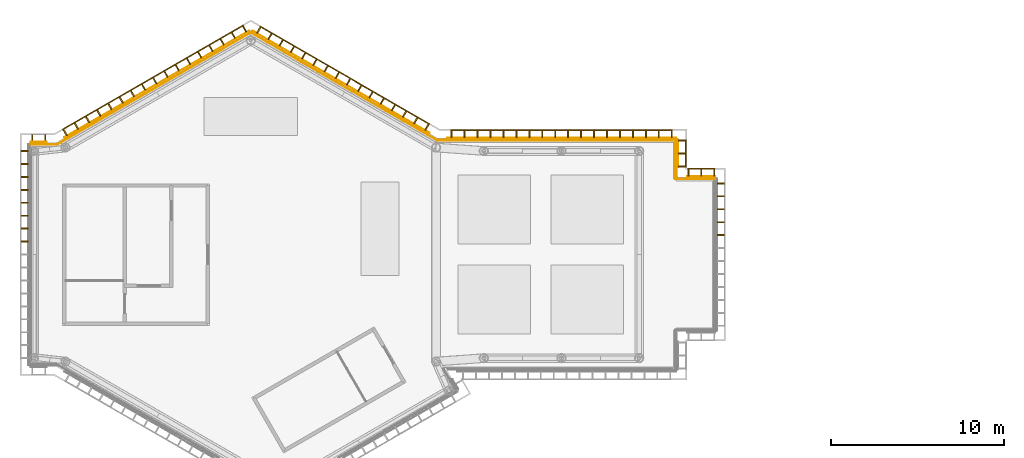
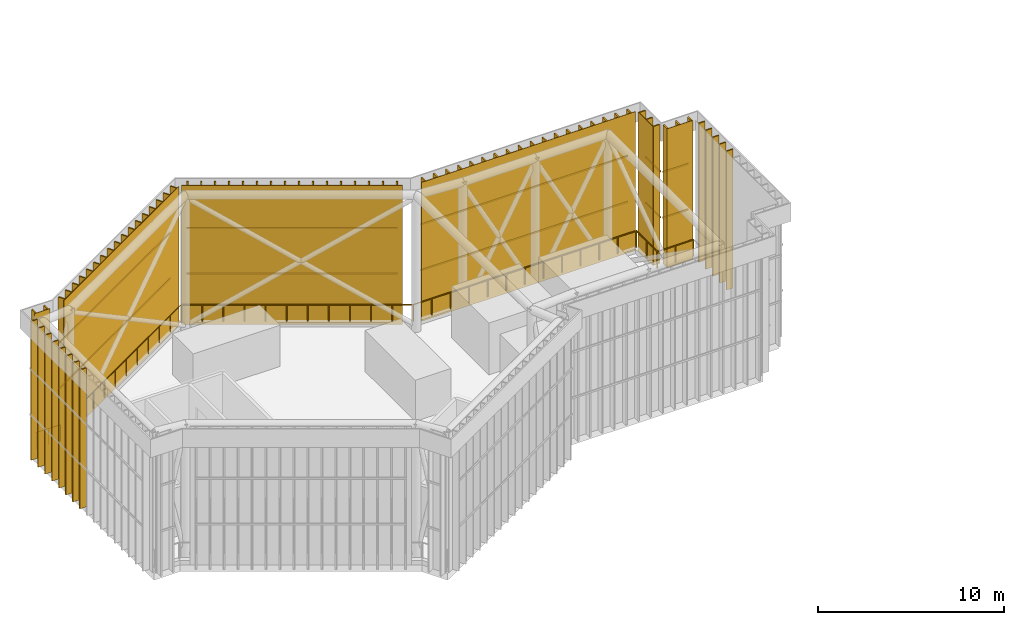
# One storey, part 12 of 17: 88 coverings, 6 railings.
"""IFC4 building model written with IfcOpenShell, lengths in metres."""

from ifc_helpers import new_model, si_unit, direction, frame, origin, origin_2d, place, context, subcontext, project, spatial, rectangle, circle, extrude, material, layer, layer_set, type_object, element, save


model = new_model("IFC4")

# Units and contexts
model_context = context("Model", 3, precision=1e-05, world=origin(), true_north=direction((0.0, 1.0)))
body_context = subcontext(model_context, "Body", "Model", "MODEL_VIEW")
ifc_project = project(units=[si_unit("LENGTHUNIT", "METRE"), si_unit("AREAUNIT", "SQUARE_METRE"), si_unit("VOLUMEUNIT", "CUBIC_METRE"), si_unit("PLANEANGLEUNIT", "RADIAN"), si_unit("MASSUNIT", "GRAM", prefix="KILO")], contexts=[model_context])

# Site, building, storey
site_placement = place(None, origin())
site = spatial("IfcSite", under=ifc_project, at=site_placement, CompositionType="ELEMENT")
building_placement = place(site_placement, origin())
building = spatial("IfcBuilding", under=site, at=building_placement, Name="Upepo Twin Towers", CompositionType="ELEMENT")
storey_placement = place(building_placement, frame((0.0, 0.0, 296.5)))
storey = spatial("IfcBuildingStorey", under=building, at=storey_placement, Name="RF", CompositionType="ELEMENT", Elevation=296.5)

# Coverings
ifc_material_1 = material(Name="Anodised aluminium, pale silver", Category="aluminium")
covering_type_1 = type_object("IfcCoveringType", Name="Crown screen fin 80x400 pale aluminium", PredefinedType="CLADDING", material=ifc_material_1)
for number, where, z_axis, x_axis, name in (
    (1, (27.22998046875, 1.125, 0.0), (0.0, 0.0, 1.0), (0.0, 1.0, 0.0), "T1 crown screen fin 5.8"),
    (2, (27.22998046875, 1.875, 0.0), (0.0, 0.0, 1.0), (0.0, 1.0, 0.0), "T1 crown screen fin 5.9"),
    (3, (27.22998046875, 2.625, 0.0), (0.0, 0.0, 1.0), (0.0, 1.0, 0.0), "T1 crown screen fin 5.10"),
    (4, (27.22998046875, 3.375, 0.0), (0.0, 0.0, 1.0), (0.0, 1.0, 0.0), "T1 crown screen fin 5.11"),
    (5, (27.22998046875, 4.125, 0.0), (0.0, 0.0, 1.0), (0.0, 1.0, 0.0), "T1 crown screen fin 5.12"),
    (6, (26.85009765625, 4.72998046875, 0.0), (0.0, 0.0, 1.0), (-1.0, 0.0, 0.0), "T1 crown screen fin 6.1"),
    (7, (26.10009765625, 4.72998046875, 0.0), (0.0, 0.0, 1.0), (-1.0, 0.0, 0.0), "T1 crown screen fin 6.2"),
    (8, (25.35009765625, 4.72998046875, 0.0), (0.0, 0.0, 1.0), (-1.0, 0.0, 0.0), "T1 crown screen fin 6.3"),
    (9, (24.97998046875, 5.10009765625, 0.0), (0.0, 0.0, 1.0), (0.0, 1.0, 0.0), "T1 crown screen fin 7.1"),
    (10, (24.97998046875, 5.85009765625, 0.0), (0.0, 0.0, 1.0), (0.0, 1.0, 0.0), "T1 crown screen fin 7.2"),
    (11, (24.97998046875, 6.60009765625, 0.0), (0.0, 0.0, 1.0), (0.0, 1.0, 0.0), "T1 crown screen fin 7.3"),
    (12, (24.3876953125, 6.97998046875, 0.0), (0.0, 0.0, 1.0), (-1.0, 0.0, 0.0), "T1 crown screen fin 8.1"),
    (13, (23.6376953125, 6.97998046875, 0.0), (0.0, 0.0, 1.0), (-1.0, 0.0, 0.0), "T1 crown screen fin 8.2"),
    (14, (22.8876953125, 6.97998046875, 0.0), (0.0, 0.0, 1.0), (-1.0, 0.0, 0.0), "T1 crown screen fin 8.3"),
    (15, (22.1376953125, 6.97998046875, 0.0), (0.0, 0.0, 1.0), (-1.0, 0.0, 0.0), "T1 crown screen fin 8.4"),
    (16, (21.3876953125, 6.97998046875, 0.0), (0.0, 0.0, 1.0), (-1.0, 0.0, 0.0), "T1 crown screen fin 8.5"),
    (17, (20.6376953125, 6.97998046875, 0.0), (0.0, 0.0, 1.0), (-1.0, 0.0, 0.0), "T1 crown screen fin 8.6"),
    (18, (19.8876953125, 6.97998046875, 0.0), (0.0, 0.0, 1.0), (-1.0, 0.0, 0.0), "T1 crown screen fin 8.7"),
    (19, (19.1376953125, 6.97998046875, 0.0), (0.0, 0.0, 1.0), (-1.0, 0.0, 0.0), "T1 crown screen fin 8.8"),
    (20, (18.3876953125, 6.97998046875, 0.0), (0.0, 0.0, 1.0), (-1.0, 0.0, 0.0), "T1 crown screen fin 8.9"),
    (21, (17.6376953125, 6.97998046875, 0.0), (0.0, 0.0, 1.0), (-1.0, 0.0, 0.0), "T1 crown screen fin 8.10"),
    (22, (16.8876953125, 6.97998046875, 0.0), (0.0, 0.0, 1.0), (-1.0, 0.0, 0.0), "T1 crown screen fin 8.11"),
    (23, (16.1376953125, 6.97998046875, 0.0), (0.0, 0.0, 1.0), (-1.0, 0.0, 0.0), "T1 crown screen fin 8.12"),
    (24, (15.3876953125, 6.97998046875, 0.0), (0.0, 0.0, 1.0), (-1.0, 0.0, 0.0), "T1 crown screen fin 8.13"),
    (25, (14.6376953125, 6.97998046875, 0.0), (0.0, 0.0, 1.0), (-1.0, 0.0, 0.0), "T1 crown screen fin 8.14"),
    (26, (13.8876953125, 6.97998046875, 0.0), (0.0, 0.0, 1.0), (-1.0, 0.0, 0.0), "T1 crown screen fin 8.15"),
    (27, (13.1376953125, 6.97998046875, 0.0), (0.0, 0.0, 1.0), (-1.0, 0.0, 0.0), "T1 crown screen fin 8.16"),
    (28, (12.3876953125, 6.97998046875, 0.0), (0.0, 0.0, 1.0), (-1.0, 0.0, 0.0), "T1 crown screen fin 8.17"),
    (29, (11.6376953125, 6.97998046875, 0.0), (0.0, 0.0, 1.0), (-1.0, 0.0, 0.0), "T1 crown screen fin 8.18"),
    (30, (10.2041015625, 7.374267578125, 0.0), (0.0, 0.0, 1.0), (-0.866025412511, 0.499999984885, 0.0), "T1 crown screen fin 9.1"),
    (31, (9.5546875, 7.749267578125, 0.0), (0.0, 0.0, 1.0), (-0.866025412511, 0.499999984885, 0.0), "T1 crown screen fin 9.2"),
    (32, (8.9052734375, 8.124267578125, 0.0), (0.0, 0.0, 1.0), (-0.866025412511, 0.499999984885, 0.0), "T1 crown screen fin 9.3"),
    (33, (8.255615234375, 8.499267578125, 0.0), (0.0, 0.0, 1.0), (-0.866025412511, 0.499999984885, 0.0), "T1 crown screen fin 9.4"),
    (34, (7.606201171875, 8.874267578125, 0.0), (0.0, 0.0, 1.0), (-0.866025412511, 0.499999984885, 0.0), "T1 crown screen fin 9.5"),
    (35, (6.95654296875, 9.249267578125, 0.0), (0.0, 0.0, 1.0), (-0.866025412511, 0.499999984885, 0.0), "T1 crown screen fin 9.6"),
    (36, (6.30712890625, 9.624267578125, 0.0), (0.0, 0.0, 1.0), (-0.866025412511, 0.499999984885, 0.0), "T1 crown screen fin 9.7"),
    (37, (5.657470703125, 9.999267578125, 0.0), (0.0, 0.0, 1.0), (-0.866025412511, 0.499999984885, 0.0), "T1 crown screen fin 9.8"),
    (38, (5.008056640625, 10.374267578125, 0.0), (0.0, 0.0, 1.0), (-0.866025412511, 0.499999984885, 0.0), "T1 crown screen fin 9.9"),
    (39, (4.358642578125, 10.749267578125, 0.0), (0.0, 0.0, 1.0), (-0.866025412511, 0.499999984885, 0.0), "T1 crown screen fin 9.10"),
    (40, (3.708984375, 11.124267578125, 0.0), (0.0, 0.0, 1.0), (-0.866025412511, 0.499999984885, 0.0), "T1 crown screen fin 9.11"),
    (41, (3.0595703125, 11.499267578125, 0.0), (0.0, 0.0, 1.0), (-0.866025412511, 0.499999984885, 0.0), "T1 crown screen fin 9.12"),
    (42, (2.409912109375, 11.874267578125, 0.0), (0.0, 0.0, 1.0), (-0.866025412511, 0.499999984885, 0.0), "T1 crown screen fin 9.13"),
    (43, (1.760498046875, 12.249267578125, 0.0), (0.0, 0.0, 1.0), (-0.866025412511, 0.499999984885, 0.0), "T1 crown screen fin 9.14"),
    (44, (1.11083984375, 12.624267578125, 0.0), (0.0, 0.0, 1.0), (-0.866025412511, 0.499999984885, 0.0), "T1 crown screen fin 9.15"),
    (45, (0.46142578125, 12.999267578125, 0.0), (0.0, 0.0, 1.0), (-0.866025412511, 0.499999984885, 0.0), "T1 crown screen fin 9.16"),
    (46, (-0.353271484375, 13.061767578125, 0.0), (0.0, 0.0, 1.0), (-0.866025395058, -0.500000015115, 0.0), "T1 crown screen fin 10.1"),
    (47, (-1.002685546875, 12.686767578125, 0.0), (0.0, 0.0, 1.0), (-0.866025395058, -0.500000015115, 0.0), "T1 crown screen fin 10.2"),
    (48, (-1.652099609375, 12.311767578125, 0.0), (0.0, 0.0, 1.0), (-0.866025395058, -0.500000015115, 0.0), "T1 crown screen fin 10.3"),
    (49, (-2.3017578125, 11.936767578125, 0.0), (0.0, 0.0, 1.0), (-0.866025395058, -0.500000015115, 0.0), "T1 crown screen fin 10.4"),
    (50, (-2.951171875, 11.561767578125, 0.0), (0.0, 0.0, 1.0), (-0.866025395058, -0.500000015115, 0.0), "T1 crown screen fin 10.5"),
    (51, (-3.600830078125, 11.186767578125, 0.0), (0.0, 0.0, 1.0), (-0.866025395058, -0.500000015115, 0.0), "T1 crown screen fin 10.6"),
    (52, (-4.250244140625, 10.811767578125, 0.0), (0.0, 0.0, 1.0), (-0.866025395058, -0.500000015115, 0.0), "T1 crown screen fin 10.7"),
    (53, (-4.89990234375, 10.436767578125, 0.0), (0.0, 0.0, 1.0), (-0.866025395058, -0.500000015115, 0.0), "T1 crown screen fin 10.8"),
    (54, (-5.54931640625, 10.061767578125, 0.0), (0.0, 0.0, 1.0), (-0.866025395058, -0.500000015115, 0.0), "T1 crown screen fin 10.9"),
    (55, (-6.19873046875, 9.686767578125, 0.0), (0.0, 0.0, 1.0), (-0.866025395058, -0.500000015115, 0.0), "T1 crown screen fin 10.10"),
    (56, (-6.848388671875, 9.311767578125, 0.0), (0.0, 0.0, 1.0), (-0.866025395058, -0.500000015115, 0.0), "T1 crown screen fin 10.11"),
    (57, (-7.497802734375, 8.936767578125, 0.0), (0.0, 0.0, 1.0), (-0.866025395058, -0.500000015115, 0.0), "T1 crown screen fin 10.12"),
    (58, (-8.1474609375, 8.561767578125, 0.0), (0.0, 0.0, 1.0), (-0.866025395058, -0.500000015115, 0.0), "T1 crown screen fin 10.13"),
    (59, (-8.796875, 8.186767578125, 0.0), (0.0, 0.0, 1.0), (-0.866025395058, -0.500000015115, 0.0), "T1 crown screen fin 10.14"),
    (60, (-9.446533203125, 7.811767578125, 0.0), (0.0, 0.0, 1.0), (-0.866025395058, -0.500000015115, 0.0), "T1 crown screen fin 10.15"),
    (61, (-10.095947265625, 7.436767578125, 0.0), (0.0, 0.0, 1.0), (-0.866025395058, -0.500000015115, 0.0), "T1 crown screen fin 10.16"),
    (62, (-10.745361328125, 7.061767578125, 0.0), (0.0, 0.0, 1.0), (-0.866025395058, -0.500000015115, 0.0), "T1 crown screen fin 10.17"),
    (63, (-11.908447265625, 6.72998046875, 0.0), (0.0, 0.0, 1.0), (-1.0, 0.0, 0.0), "T1 crown screen fin 11.1"),
    (64, (-12.658447265625, 6.72998046875, 0.0), (0.0, 0.0, 1.0), (-1.0, 0.0, 0.0), "T1 crown screen fin 11.2"),
    (65, (-13.08837890625, 6.0, 0.0), (0.0, 0.0, 1.0), (0.0, -1.0, 0.0), "T1 crown screen fin 12.1"),
    (66, (-13.08837890625, 5.25, 0.0), (0.0, 0.0, 1.0), (0.0, -1.0, 0.0), "T1 crown screen fin 12.2"),
    (67, (-13.08837890625, 4.5, 0.0), (0.0, 0.0, 1.0), (0.0, -1.0, 0.0), "T1 crown screen fin 12.3"),
    (68, (-13.08837890625, 3.75, 0.0), (0.0, 0.0, 1.0), (0.0, -1.0, 0.0), "T1 crown screen fin 12.4"),
    (69, (-13.08837890625, 3.0, 0.0), (0.0, 0.0, 1.0), (0.0, -1.0, 0.0), "T1 crown screen fin 12.5"),
    (70, (-13.08837890625, 2.25, 0.0), (0.0, 0.0, 1.0), (0.0, -1.0, 0.0), "T1 crown screen fin 12.6"),
    (71, (-13.08837890625, 1.5, 0.0), (0.0, 0.0, 1.0), (0.0, -1.0, 0.0), "T1 crown screen fin 12.7"),
    (72, (-13.08837890625, 0.75, 0.0), (0.0, 0.0, 1.0), (0.0, -1.0, 0.0), "T1 crown screen fin 12.8"),
):
    element("IfcCovering", number, at=place(storey_placement, frame(where, z_axis=z_axis, x_axis=x_axis)), inside=storey, type_object=covering_type_1, Name=name, PredefinedType="CLADDING", context=body_context, shape_type="SweptSolid", body=[
        extrude(rectangle(XDim=0.080078125, YDim=0.39990234375, at=origin_2d()), origin(), (0.0, 0.0, 1.0), 9.10400390625),
    ])
ifc_material_2 = material(Name="Perforated anodised aluminium sheet 3 mm, pale silver, on an aluminium subframe", Category="aluminium")
ifc_layer = layer(ifc_material_2, 0.030029296875)
ifc_layer_set = layer_set([ifc_layer], Name="Crown screen panel 30 perforated aluminium")
covering_type_2 = type_object("IfcCoveringType", Name="Crown screen panel 30 perforated aluminium", PredefinedType="CLADDING", material=ifc_layer_set)
for number, where, z_axis, x_axis, name in (
    (73, (26.10009765625, 4.514892578125, 0.0), (0.0, 0.0, 1.0), (-1.0, 0.0, 0.0), "T1 crown screen panel 6"),
    (74, (24.764892578125, 5.85009765625, 0.0), (0.0, 0.0, 1.0), (0.0, 1.0, 0.0), "T1 crown screen panel 7"),
):
    element("IfcCovering", number, at=place(storey_placement, frame(where, z_axis=z_axis, x_axis=x_axis)), inside=storey, type_object=covering_type_2, Name=name, PredefinedType="CLADDING", context=body_context, shape_type="SweptSolid", body=[
        extrude(rectangle(XDim=1.60009765625, YDim=0.030029296875, at=origin_2d()), origin(), (0.0, 0.0, 1.0), 9.10400390625),
    ])
covering_1_placement = place(storey_placement, frame((18.0126953125, 6.764892578125, 0.0), z_axis=(0.0, 0.0, 1.0), x_axis=(-1.0, 0.0, 0.0)))
element("IfcCovering", 75, at=covering_1_placement, inside=storey, type_object=covering_type_2, Name="T1 crown screen panel 8", PredefinedType="CLADDING", context=body_context, shape_type="SweptSolid", body=[
    extrude(rectangle(XDim=13.274658203125, YDim=0.030029296875, at=origin_2d()), origin(), (0.0, 0.0, 1.0), 9.10400390625),
])
covering_2_placement = place(storey_placement, frame((5.225341796875, 10.00048828125, 0.0), z_axis=(0.0, 0.0, 1.0), x_axis=(-0.866025412511, 0.499999984885, 0.0)))
element("IfcCovering", 76, at=covering_2_placement, inside=storey, type_object=covering_type_2, Name="T1 crown screen panel 9", PredefinedType="CLADDING", context=body_context, shape_type="SweptSolid", body=[
    extrude(rectangle(XDim=11.85009765625, YDim=0.030029296875, at=origin_2d()), origin(), (0.0, 0.0, 1.0), 9.10400390625),
])
covering_3_placement = place(storey_placement, frame((-5.44189453125, 9.87548828125, 0.0), z_axis=(0.0, 0.0, 1.0), x_axis=(-0.866025395058, -0.500000015115, 0.0)))
element("IfcCovering", 77, at=covering_3_placement, inside=storey, type_object=covering_type_2, Name="T1 crown screen panel 10", PredefinedType="CLADDING", context=body_context, shape_type="SweptSolid", body=[
    extrude(rectangle(XDim=12.35009765625, YDim=0.030029296875, at=origin_2d()), origin(), (0.0, 0.0, 1.0), 9.10400390625),
])
covering_4_placement = place(storey_placement, frame((-12.283447265625, 6.514892578125, 0.0), z_axis=(0.0, 0.0, 1.0), x_axis=(-1.0, 0.0, 0.0)))
element("IfcCovering", 78, at=covering_4_placement, inside=storey, type_object=covering_type_2, Name="T1 crown screen panel 11", PredefinedType="CLADDING", context=body_context, shape_type="SweptSolid", body=[
    extrude(rectangle(XDim=0.949951171875, YDim=0.030029296875, at=origin_2d()), origin(), (0.0, 0.0, 1.0), 9.10400390625),
])
ifc_material_3 = material(Name="Anodised aluminium, pale silver", Category="aluminium")
covering_type_3 = type_object("IfcCoveringType", Name="Crown screen rail 60x100 pale aluminium", PredefinedType="CLADDING", material=ifc_material_3)
for number, where, z_axis, x_axis, name in (
    (79, (26.10009765625, 4.9599609375, 2.949951171875), (0.0, 0.0, 1.0), (-1.0, 0.0, 0.0), "T1 crown screen rail 6.1"),
    (80, (26.10009765625, 4.9599609375, 5.949951171875), (0.0, 0.0, 1.0), (-1.0, 0.0, 0.0), "T1 crown screen rail 6.2"),
    (81, (25.2099609375, 5.85009765625, 2.949951171875), (0.0, 0.0, 1.0), (0.0, 1.0, 0.0), "T1 crown screen rail 7.1"),
    (82, (25.2099609375, 5.85009765625, 5.949951171875), (0.0, 0.0, 1.0), (0.0, 1.0, 0.0), "T1 crown screen rail 7.2"),
):
    element("IfcCovering", number, at=place(storey_placement, frame(where, z_axis=z_axis, x_axis=x_axis)), inside=storey, type_object=covering_type_3, Name=name, PredefinedType="CLADDING", context=body_context, shape_type="SweptSolid", body=[
        extrude(rectangle(XDim=1.580078125, YDim=0.06005859375, at=origin_2d()), origin(), (0.0, 0.0, 1.0), 0.10009765625),
    ])
for number, where, z_axis, x_axis, name in (
    (83, (18.0126953125, 7.2099609375, 2.949951171875), (0.0, 0.0, 1.0), (-1.0, 0.0, 0.0), "T1 crown screen rail 8.1"),
    (84, (18.0126953125, 7.2099609375, 5.949951171875), (0.0, 0.0, 1.0), (-1.0, 0.0, 0.0), "T1 crown screen rail 8.2"),
):
    element("IfcCovering", number, at=place(storey_placement, frame(where, z_axis=z_axis, x_axis=x_axis)), inside=storey, type_object=covering_type_3, Name=name, PredefinedType="CLADDING", context=body_context, shape_type="SweptSolid", body=[
        extrude(rectangle(XDim=12.830078125, YDim=0.06005859375, at=origin_2d()), origin(), (0.0, 0.0, 1.0), 0.10009765625),
    ])
for number, where, z_axis, x_axis, name in (
    (85, (5.44775390625, 10.385986328125, 2.949951171875), (0.0, 0.0, 1.0), (-0.866025412511, 0.499999984885, 0.0), "T1 crown screen rail 9.1"),
    (86, (5.44775390625, 10.385986328125, 5.949951171875), (0.0, 0.0, 1.0), (-0.866025412511, 0.499999984885, 0.0), "T1 crown screen rail 9.2"),
):
    element("IfcCovering", number, at=place(storey_placement, frame(where, z_axis=z_axis, x_axis=x_axis)), inside=storey, type_object=covering_type_3, Name=name, PredefinedType="CLADDING", context=body_context, shape_type="SweptSolid", body=[
        extrude(rectangle(XDim=11.330078125, YDim=0.06005859375, at=origin_2d()), origin(), (0.0, 0.0, 1.0), 0.10009765625),
    ])
for number, where, z_axis, x_axis, name in (
    (87, (-5.664306640625, 10.260986328125, 2.949951171875), (0.0, 0.0, 1.0), (-0.866025395058, -0.500000015115, 0.0), "T1 crown screen rail 10.1"),
    (88, (-5.664306640625, 10.260986328125, 5.949951171875), (0.0, 0.0, 1.0), (-0.866025395058, -0.500000015115, 0.0), "T1 crown screen rail 10.2"),
):
    element("IfcCovering", number, at=place(storey_placement, frame(where, z_axis=z_axis, x_axis=x_axis)), inside=storey, type_object=covering_type_3, Name=name, PredefinedType="CLADDING", context=body_context, shape_type="SweptSolid", body=[
        extrude(rectangle(XDim=12.080078125, YDim=0.06005859375, at=origin_2d()), origin(), (0.0, 0.0, 1.0), 0.10009765625),
    ])

# Railings
ifc_material_4 = material(Name="Galvanised steel S275", Category="steel")
railing_type = type_object("IfcRailingType", Name="Roof edge guardrail 1100 steel", PredefinedType="GUARDRAIL", material=ifc_material_4)
railing_1_placement = place(storey_placement, frame((-12.7333984375, 6.375, 0.300048828125)))
element("IfcRailing", 89, at=railing_1_placement, inside=storey, type_object=railing_type, Name="T1 roof edge guardrail 6", PredefinedType="GUARDRAIL", context=body_context, shape_type="SweptSolid", body=[
    extrude(circle(Radius=0.02392578125, at=origin_2d()), frame((0.0, 0.0, 1.076171875), z_axis=(1.0, 0.0, 0.0), x_axis=(0.0, 1.0, 0.0)), (0.0, 0.0, 1.0), 1.508544921875),
    extrude(circle(Radius=0.02099609375, at=origin_2d()), origin(), (0.0, 0.0, 1.0), 1.052001953125),
    extrude(circle(Radius=0.02099609375, at=origin_2d()), frame((0.75439453125, 0.0, 0.0)), (0.0, 0.0, 1.0), 1.052001953125),
    extrude(circle(Radius=0.02099609375, at=origin_2d()), frame((1.508544921875, 0.0, 0.0)), (0.0, 0.0, 1.0), 1.052001953125),
])
railing_2_placement = place(storey_placement, frame((-11.224853515625, 6.375, 0.300048828125)))
element("IfcRailing", 90, at=railing_2_placement, inside=storey, type_object=railing_type, Name="T1 roof edge guardrail 7", PredefinedType="GUARDRAIL", context=body_context, shape_type="SweptSolid", body=[
    extrude(circle(Radius=0.02392578125, at=origin_2d()), frame((0.0, 0.0, 1.076171875), z_axis=(0.866024044353, 0.500002354598, 0.0), x_axis=(-0.500002354598, 0.866024044353, 0.0)), (0.0, 0.0, 1.0), 12.96142578125),
    extrude(circle(Radius=0.02099609375, at=origin_2d()), origin(), (0.0, 0.0, 1.0), 1.052001953125),
    extrude(circle(Radius=0.02099609375, at=origin_2d()), frame((1.0205078125, 0.589111328125, 0.0)), (0.0, 0.0, 1.0), 1.052001953125),
    extrude(circle(Radius=0.02099609375, at=origin_2d()), frame((2.040771484375, 1.17822265625, 0.0)), (0.0, 0.0, 1.0), 1.052001953125),
    extrude(circle(Radius=0.02099609375, at=origin_2d()), frame((3.061279296875, 1.767578125, 0.0)), (0.0, 0.0, 1.0), 1.052001953125),
    extrude(circle(Radius=0.02099609375, at=origin_2d()), frame((4.081787109375, 2.356689453125, 0.0)), (0.0, 0.0, 1.0), 1.052001953125),
    extrude(circle(Radius=0.02099609375, at=origin_2d()), frame((5.102294921875, 2.94580078125, 0.0)), (0.0, 0.0, 1.0), 1.052001953125),
    extrude(circle(Radius=0.02099609375, at=origin_2d()), frame((6.12255859375, 3.534912109375, 0.0)), (0.0, 0.0, 1.0), 1.052001953125),
    extrude(circle(Radius=0.02099609375, at=origin_2d()), frame((7.14306640625, 4.1240234375, 0.0)), (0.0, 0.0, 1.0), 1.052001953125),
    extrude(circle(Radius=0.02099609375, at=origin_2d()), frame((8.16357421875, 4.713134765625, 0.0)), (0.0, 0.0, 1.0), 1.052001953125),
    extrude(circle(Radius=0.02099609375, at=origin_2d()), frame((9.18408203125, 5.302490234375, 0.0)), (0.0, 0.0, 1.0), 1.052001953125),
    extrude(circle(Radius=0.02099609375, at=origin_2d()), frame((10.204345703125, 5.8916015625, 0.0)), (0.0, 0.0, 1.0), 1.052001953125),
    extrude(circle(Radius=0.02099609375, at=origin_2d()), frame((11.224853515625, 6.480712890625, 0.0)), (0.0, 0.0, 1.0), 1.052001953125),
])
railing_3_placement = place(storey_placement, frame((0.0, 12.855712890625, 0.300048828125)))
element("IfcRailing", 91, at=railing_3_placement, inside=storey, type_object=railing_type, Name="T1 roof edge guardrail 8", PredefinedType="GUARDRAIL", context=body_context, shape_type="SweptSolid", body=[
    extrude(circle(Radius=0.02392578125, at=origin_2d()), frame((0.0, 0.0, 1.076171875), z_axis=(0.866022128681, -0.500005672603, 0.0), x_axis=(0.500005672603, 0.866022128681, 0.0)), (0.0, 0.0, 1.0), 12.461181640625),
    extrude(circle(Radius=0.02099609375, at=origin_2d()), origin(), (0.0, 0.0, 1.0), 1.052001953125),
    extrude(circle(Radius=0.02099609375, at=origin_2d()), frame((0.98095703125, -0.56640625, 0.0)), (0.0, 0.0, 1.0), 1.052001953125),
    extrude(circle(Radius=0.02099609375, at=origin_2d()), frame((1.962158203125, -1.1328125, 0.0)), (0.0, 0.0, 1.0), 1.052001953125),
    extrude(circle(Radius=0.02099609375, at=origin_2d()), frame((2.943115234375, -1.69921875, 0.0)), (0.0, 0.0, 1.0), 1.052001953125),
    extrude(circle(Radius=0.02099609375, at=origin_2d()), frame((3.92431640625, -2.265625, 0.0)), (0.0, 0.0, 1.0), 1.052001953125),
    extrude(circle(Radius=0.02099609375, at=origin_2d()), frame((4.9052734375, -2.83203125, 0.0)), (0.0, 0.0, 1.0), 1.052001953125),
    extrude(circle(Radius=0.02099609375, at=origin_2d()), frame((5.886474609375, -3.398681640625, 0.0)), (0.0, 0.0, 1.0), 1.052001953125),
    extrude(circle(Radius=0.02099609375, at=origin_2d()), frame((6.867431640625, -3.965087890625, 0.0)), (0.0, 0.0, 1.0), 1.052001953125),
    extrude(circle(Radius=0.02099609375, at=origin_2d()), frame((7.8486328125, -4.531494140625, 0.0)), (0.0, 0.0, 1.0), 1.052001953125),
    extrude(circle(Radius=0.02099609375, at=origin_2d()), frame((8.82958984375, -5.097900390625, 0.0)), (0.0, 0.0, 1.0), 1.052001953125),
    extrude(circle(Radius=0.02099609375, at=origin_2d()), frame((9.810791015625, -5.664306640625, 0.0)), (0.0, 0.0, 1.0), 1.052001953125),
    extrude(circle(Radius=0.02099609375, at=origin_2d()), frame((10.791748046875, -6.230712890625, 0.0)), (0.0, 0.0, 1.0), 1.052001953125),
])
railing_4_placement = place(storey_placement, frame((10.791748046875, 6.625, 0.300048828125)))
element("IfcRailing", 92, at=railing_4_placement, inside=storey, type_object=railing_type, Name="T1 roof edge guardrail 9", PredefinedType="GUARDRAIL", context=body_context, shape_type="SweptSolid", body=[
    extrude(circle(Radius=0.02392578125, at=origin_2d()), frame((0.0, 0.0, 1.076171875), z_axis=(1.0, 0.0, 0.0), x_axis=(0.0, 1.0, 0.0)), (0.0, 0.0, 1.0), 13.833251953125),
    extrude(circle(Radius=0.02099609375, at=origin_2d()), origin(), (0.0, 0.0, 1.0), 1.052001953125),
    extrude(circle(Radius=0.02099609375, at=origin_2d()), frame((1.15283203125, 0.0, 0.0)), (0.0, 0.0, 1.0), 1.052001953125),
    extrude(circle(Radius=0.02099609375, at=origin_2d()), frame((2.3056640625, 0.0, 0.0)), (0.0, 0.0, 1.0), 1.052001953125),
    extrude(circle(Radius=0.02099609375, at=origin_2d()), frame((3.458251953125, 0.0, 0.0)), (0.0, 0.0, 1.0), 1.052001953125),
    extrude(circle(Radius=0.02099609375, at=origin_2d()), frame((4.611083984375, 0.0, 0.0)), (0.0, 0.0, 1.0), 1.052001953125),
    extrude(circle(Radius=0.02099609375, at=origin_2d()), frame((5.763916015625, 0.0, 0.0)), (0.0, 0.0, 1.0), 1.052001953125),
    extrude(circle(Radius=0.02099609375, at=origin_2d()), frame((6.91650390625, 0.0, 0.0)), (0.0, 0.0, 1.0), 1.052001953125),
    extrude(circle(Radius=0.02099609375, at=origin_2d()), frame((8.0693359375, 0.0, 0.0)), (0.0, 0.0, 1.0), 1.052001953125),
    extrude(circle(Radius=0.02099609375, at=origin_2d()), frame((9.22216796875, 0.0, 0.0)), (0.0, 0.0, 1.0), 1.052001953125),
    extrude(circle(Radius=0.02099609375, at=origin_2d()), frame((10.375, 0.0, 0.0)), (0.0, 0.0, 1.0), 1.052001953125),
    extrude(circle(Radius=0.02099609375, at=origin_2d()), frame((11.52783203125, 0.0, 0.0)), (0.0, 0.0, 1.0), 1.052001953125),
    extrude(circle(Radius=0.02099609375, at=origin_2d()), frame((12.680419921875, 0.0, 0.0)), (0.0, 0.0, 1.0), 1.052001953125),
    extrude(circle(Radius=0.02099609375, at=origin_2d()), frame((13.833251953125, 0.0, 0.0)), (0.0, 0.0, 1.0), 1.052001953125),
])
railing_5_placement = place(storey_placement, frame((24.625, 6.625, 0.300048828125)))
element("IfcRailing", 93, at=railing_5_placement, inside=storey, type_object=railing_type, Name="T1 roof edge guardrail 10", PredefinedType="GUARDRAIL", context=body_context, shape_type="SweptSolid", body=[
    extrude(circle(Radius=0.02392578125, at=origin_2d()), frame((0.0, 0.0, 1.076171875), z_axis=(0.0, -1.0, 0.0), x_axis=(1.0, 0.0, 0.0)), (0.0, 0.0, 1.0), 2.25),
    extrude(circle(Radius=0.02099609375, at=origin_2d()), origin(), (0.0, 0.0, 1.0), 1.052001953125),
    extrude(circle(Radius=0.02099609375, at=origin_2d()), frame((0.0, -1.125, 0.0)), (0.0, 0.0, 1.0), 1.052001953125),
    extrude(circle(Radius=0.02099609375, at=origin_2d()), frame((0.0, -2.25, 0.0)), (0.0, 0.0, 1.0), 1.052001953125),
])
railing_6_placement = place(storey_placement, frame((24.625, 4.375, 0.300048828125)))
element("IfcRailing", 94, at=railing_6_placement, inside=storey, type_object=railing_type, Name="T1 roof edge guardrail 11", PredefinedType="GUARDRAIL", context=body_context, shape_type="SweptSolid", body=[
    extrude(circle(Radius=0.02392578125, at=origin_2d()), frame((0.0, 0.0, 1.076171875), z_axis=(1.0, 0.0, 0.0), x_axis=(0.0, 1.0, 0.0)), (0.0, 0.0, 1.0), 2.25),
    extrude(circle(Radius=0.02099609375, at=origin_2d()), origin(), (0.0, 0.0, 1.0), 1.052001953125),
    extrude(circle(Radius=0.02099609375, at=origin_2d()), frame((1.125, 0.0, 0.0)), (0.0, 0.0, 1.0), 1.052001953125),
    extrude(circle(Radius=0.02099609375, at=origin_2d()), frame((2.25, 0.0, 0.0)), (0.0, 0.0, 1.0), 1.052001953125),
])

save(model, "model.ifc")
